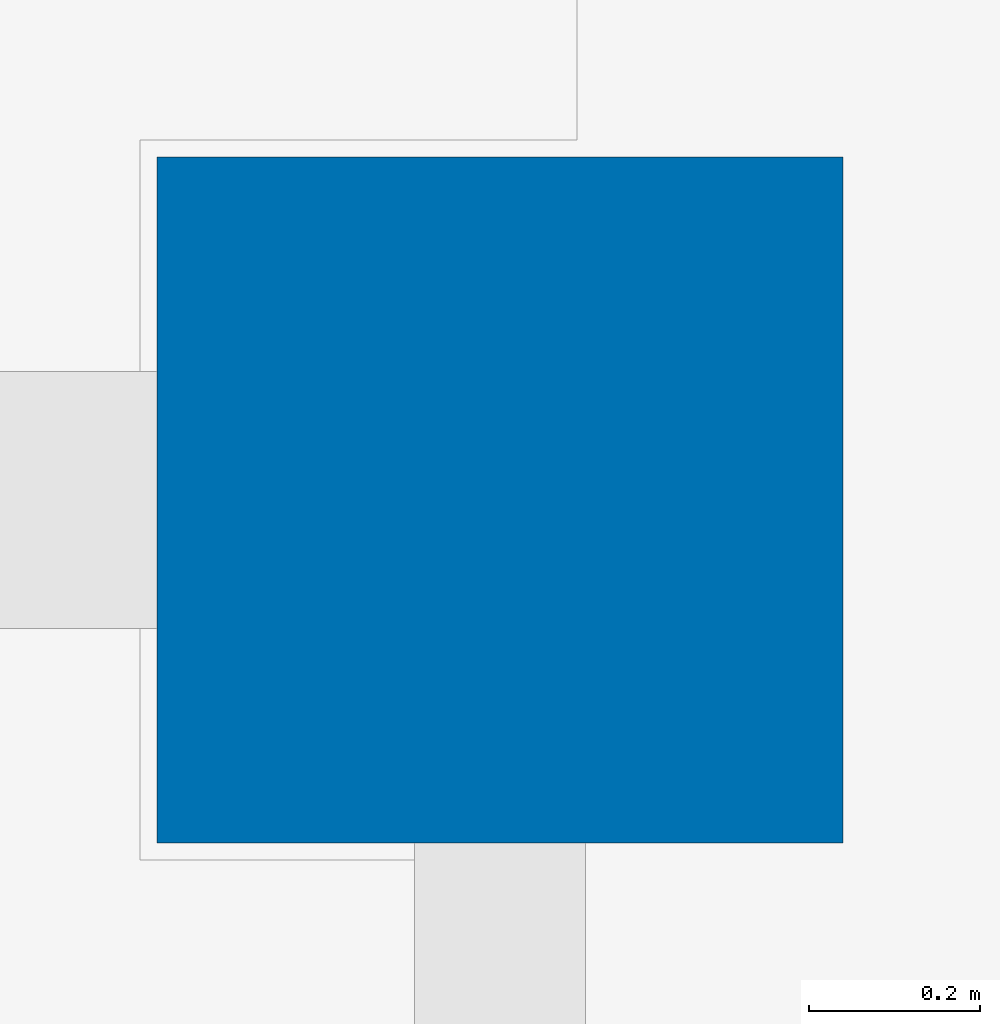
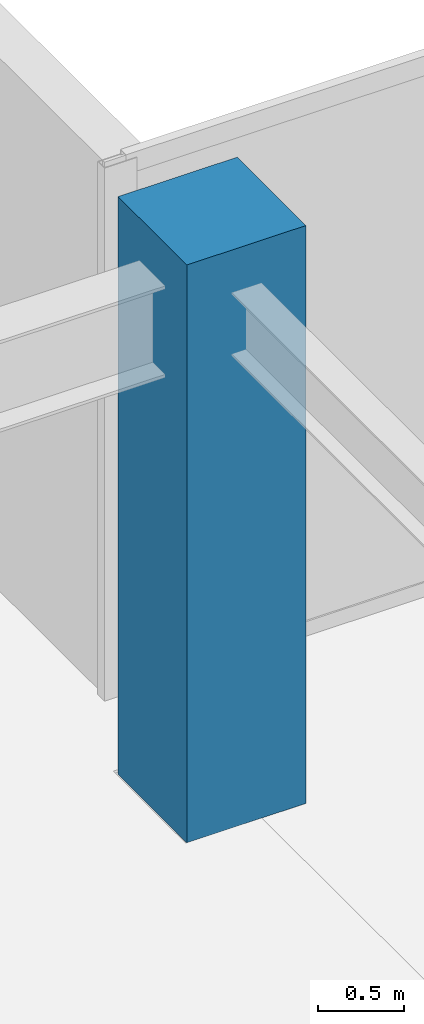
# One storey, part 4 of 36: 1 column.
"""IFC4 building model written with IfcOpenShell, lengths in metres."""

from ifc_helpers import new_model, si_unit, direction, frame, origin, origin_2d, place, context, subcontext, project, spatial, rectangle, extrude, source, transform, mapped, material, material_profile, profile_set, type_object, type_shapes, element, save


model = new_model("IFC4")

# Units and contexts
model_context = context("Model", 3, precision=1e-05, world=origin(), true_north=direction((0.0, 1.0)))
body_context = subcontext(model_context, "Body", "Model", "MODEL_VIEW")
ifc_project = project(units=[si_unit("LENGTHUNIT", "METRE"), si_unit("AREAUNIT", "SQUARE_METRE"), si_unit("VOLUMEUNIT", "CUBIC_METRE"), si_unit("PLANEANGLEUNIT", "RADIAN"), si_unit("MASSUNIT", "GRAM", prefix="KILO")], contexts=[model_context])

# Site, building, storey
site_placement = place(None, origin())
site = spatial("IfcSite", under=ifc_project, at=site_placement, CompositionType="ELEMENT")
building_placement = place(site_placement, origin())
building = spatial("IfcBuilding", under=site, at=building_placement, Name="Haelvirn Gate Laboratories", CompositionType="ELEMENT")
storey_placement = place(building_placement, frame((0.0, 0.0, 254.699951171875)))
storey = spatial("IfcBuildingStorey", under=building, at=storey_placement, Name="L61", CompositionType="ELEMENT", Elevation=254.699951171875)

# Column
ifc_material = material(Name="Concrete C50/60", Category="concrete")
ifc_material_profile = material_profile(ifc_material, rectangle(XDim=0.800048828125, YDim=0.800048828125, at=origin_2d()), Name="RC-800x800")
ifc_profile_set = profile_set([ifc_material_profile], Name="Concrete C50/60")
column_type = type_object("IfcColumnType", Name="COL-RC-800", PredefinedType="COLUMN", material=ifc_profile_set)
shared_shape = source(origin(), body_context, "Body", "SweptSolid", [
    extrude(rectangle(XDim=0.800048828125, YDim=0.800048828125, at=origin_2d()), origin(), (0.0, 0.0, 1.0), 4.10009765625),
])
type_shapes(column_type, [shared_shape])
column_placement = place(storey_placement, frame((67.39990234375, 41.60009765625, 0.0), z_axis=(0.0, 0.0, 1.0), x_axis=(1.0, 0.0, 0.0)))
element("IfcColumn", 1, at=column_placement, inside=storey, type_object=column_type, Name="L61 Column 10G", PredefinedType="COLUMN", context=body_context, shape_type="MappedRepresentation", body=[
    mapped(shared_shape, transform((0.0, 0.0, 0.0), scale=1.0)),
])

save(model, "model.ifc")
